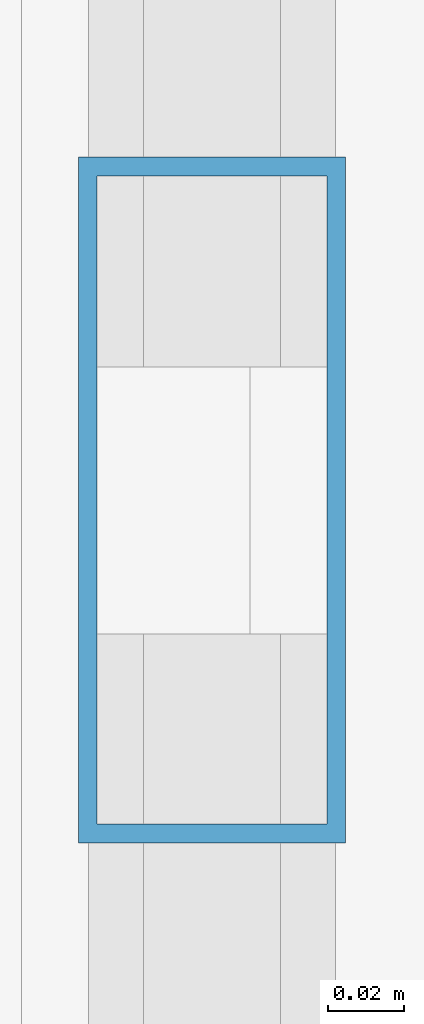
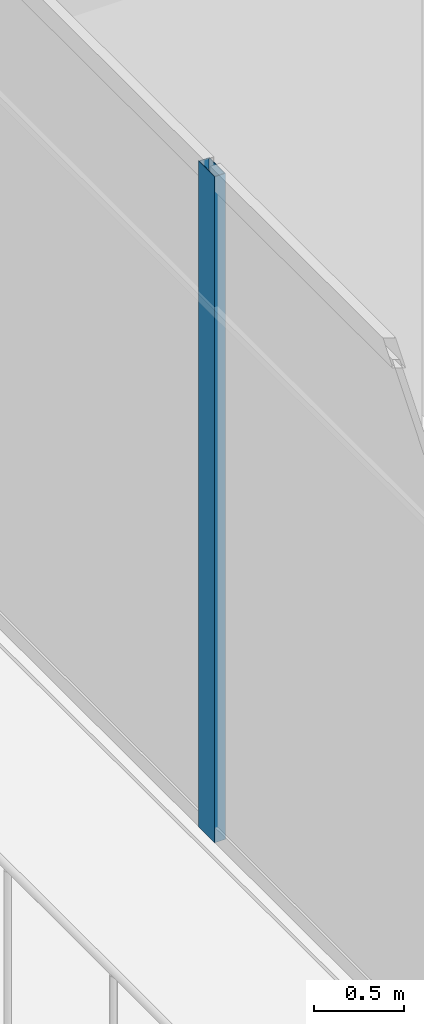
# One storey, part 9 of 37: 1 member, 1 element without a shape of its own.
"""IFC4 building model written with IfcOpenShell, lengths in metres."""

from ifc_helpers import new_model, si_unit, direction, frame, origin, origin_2d, place, context, subcontext, project, spatial, hollow_rectangle, extrude, source, transform, mapped, material, layer, layer_set, material_profile, profile_set, type_object, type_shapes, element, aggregate, save


model = new_model("IFC4")

# Units and contexts
model_context = context("Model", 3, precision=1e-05, world=origin(), true_north=direction((0.0, 1.0)))
body_context = subcontext(model_context, "Body", "Model", "MODEL_VIEW")
ifc_project = project(units=[si_unit("LENGTHUNIT", "METRE"), si_unit("AREAUNIT", "SQUARE_METRE"), si_unit("VOLUMEUNIT", "CUBIC_METRE"), si_unit("PLANEANGLEUNIT", "RADIAN"), si_unit("MASSUNIT", "GRAM", prefix="KILO")], contexts=[model_context])

# Site, building, storey
site_placement = place(None, origin())
site = spatial("IfcSite", under=ifc_project, at=site_placement, CompositionType="ELEMENT")
building_placement = place(site_placement, origin())
building = spatial("IfcBuilding", under=site, at=building_placement, Name="Haelvirn Gate Laboratories", CompositionType="ELEMENT")
storey_placement = place(building_placement, frame((0.0, 0.0, 196.60009765625)))
storey = spatial("IfcBuildingStorey", under=building, at=storey_placement, Name="L47", CompositionType="ELEMENT", Elevation=196.60009765625)

# Curtain wall, member
ifc_material_1 = material(Name="Anodised bronze unitised aluminium & triple low-E glass", Category="aluminium")
ifc_layer = layer(ifc_material_1, 0.176025390625, Name="CW-SYS-4")
ifc_layer_set = layer_set([ifc_layer], Name="Anodised bronze unitised aluminium & triple low-E glass")
curtain_wall_type = type_object("IfcCurtainWallType", Name="CW-SYS-4", PredefinedType="NOTDEFINED", material=ifc_layer_set)
curtain_wall_placement = place(storey_placement, origin())
curtain_wall = element("IfcCurtainWall", 1, at=curtain_wall_placement, inside=storey, type_object=curtain_wall_type, Name="L47 Unitised Curtain Wall CW-L47-P0-E17", PredefinedType="NOTDEFINED")
ifc_material_2 = material(Name="Extruded aluminium 6063-T6 (anodised bronze)", Category="aluminium")
ifc_material_profile = material_profile(ifc_material_2, hollow_rectangle(XDim=0.070068359375, YDim=0.179931640625, WallThickness=0.0048828125, at=origin_2d()), Name="CWM-180x70x5")
ifc_profile_set = profile_set([ifc_material_profile], Name="Extruded aluminium 6063-T6 (anodised bronze)")
member_type = type_object("IfcMemberType", Name="CWM-T180", PredefinedType="MULLION", material=ifc_profile_set)
shared_shape = source(origin(), body_context, "Body", "SweptSolid", [
    extrude(hollow_rectangle(XDim=0.070068359375, YDim=0.179931640625, WallThickness=0.0048828125, at=origin_2d()), origin(), (0.0, 0.0, 1.0), 4.5),
])
type_shapes(member_type, [shared_shape])
member_placement = place(storey_placement, frame((4.10009765625, 24.300048828125, 0.0), z_axis=(0.0, 0.0, 1.0), x_axis=(1.0, 0.0, 0.0)))
member = element("IfcMember", 2, at=member_placement, type_object=member_type, Name="CW4 mullion 2", PredefinedType="MULLION", context=body_context, shape_type="MappedRepresentation", body=[
    mapped(shared_shape, transform((0.0, 0.0, 0.0), scale=1.0)),
])
aggregate(curtain_wall, [member])

save(model, "model.ifc")
